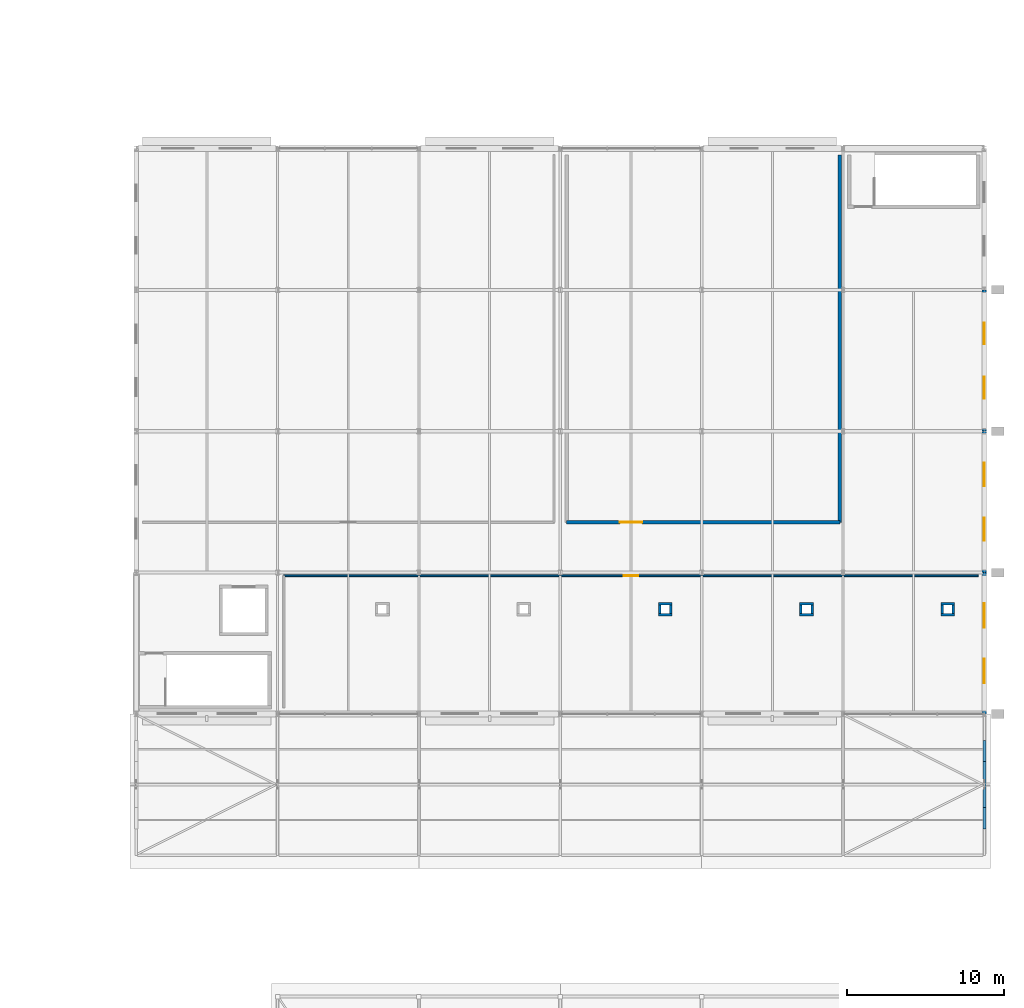
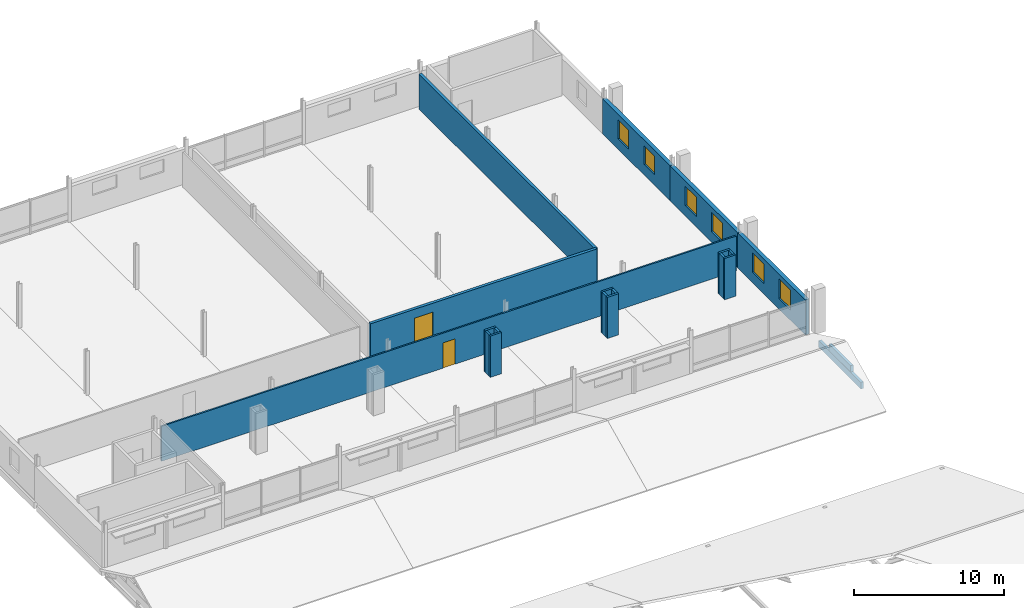
# One storey, part 114 of 132: 20 walls, 6 windows, 2 doors, 8 openings.
"""IFC4 building model written with IfcOpenShell, lengths in metres."""

from ifc_helpers import new_model, si_unit, direction, frame, frame_2d, origin, place, context, subcontext, project, spatial, rectangle, extrude, material, layer, layer_set, type_object, element, fill, save


model = new_model("IFC4")

# Units and contexts
model_context = context("Model", 3, precision=1e-05, world=origin(), true_north=direction((0.0, 1.0)))
body_context = subcontext(model_context, "Body", "Model", "MODEL_VIEW")
ifc_project = project(units=[si_unit("LENGTHUNIT", "METRE"), si_unit("AREAUNIT", "SQUARE_METRE"), si_unit("VOLUMEUNIT", "CUBIC_METRE"), si_unit("PLANEANGLEUNIT", "RADIAN"), si_unit("MASSUNIT", "GRAM", prefix="KILO")], contexts=[model_context])

# Site, building, storey
site_placement = place(None, origin())
site = spatial("IfcSite", under=ifc_project, at=site_placement, CompositionType="ELEMENT")
building_placement = place(site_placement, origin())
building = spatial("IfcBuilding", under=site, at=building_placement, Name="Tharagai Park Tramway Depot", CompositionType="ELEMENT")
storey_placement = place(building_placement, frame((0.0, 0.0, 4.800048828125)))
storey = spatial("IfcBuildingStorey", under=building, at=storey_placement, Name="L01", CompositionType="ELEMENT", Elevation=4.800048828125)

# Wall, openings, windows
ifc_material_1 = material(Name="Pressed clay brick", Category="masonry")
ifc_layer_1 = layer(ifc_material_1, 0.300048828125)
ifc_layer_set_1 = layer_set([ifc_layer_1], Name="Pressed clay brick")
wall_type_1 = type_object("IfcWallType", Name="EW-08", PredefinedType="SOLIDWALL", material=ifc_layer_set_1)
wall_1_placement = place(storey_placement, frame((216.0, 99.00390625, 0.0), z_axis=(0.0, 0.0, 1.0), x_axis=(0.0, 1.0, 0.0)))
wall_1 = element("IfcWall", 1, at=wall_1_placement, inside=storey, type_object=wall_type_1, Name="L01 V3 Exterior Masonry Wall EW-08", PredefinedType="SOLIDWALL", context=body_context, shape_type="SweptSolid", body=[
    extrude(rectangle(XDim=8.9921875, YDim=0.300048828125, at=frame_2d((4.49609375, 0.0))), origin(), (0.0, 0.0, 1.0), 2.842041015625),
])
opening_1_placement = place(wall_1_placement, frame((1.944091796875, 0.0, 0.85009765625)))
opening_1 = element("IfcOpeningElement", 2, at=opening_1_placement, cuts=wall_1, Name="Opening WN-33", PredefinedType="OPENING", context=body_context, shape_type="SweptSolid", body=[
    extrude(rectangle(XDim=1.580078125, YDim=1.60009765625, at=frame_2d((0.7900390625, 0.800048828125))), frame((0.0, 0.159912109375, 0.0), z_axis=(0.0, -1.0, 0.0), x_axis=(1.0, 0.0, 0.0)), (0.0, 0.0, 1.0), 0.320068359375),
])
opening_2_placement = place(wall_1_placement, frame((5.468017578125, 0.0, 0.85009765625)))
opening_2 = element("IfcOpeningElement", 3, at=opening_2_placement, cuts=wall_1, Name="Opening WN-33", PredefinedType="OPENING", context=body_context, shape_type="SweptSolid", body=[
    extrude(rectangle(XDim=1.580078125, YDim=1.60009765625, at=frame_2d((0.7900390625, 0.800048828125))), frame((0.0, 0.159912109375, 0.0), z_axis=(0.0, -1.0, 0.0), x_axis=(1.0, 0.0, 0.0)), (0.0, 0.0, 1.0), 0.320068359375),
])
ifc_material_2 = material(Name="Laminated solar-control glass", Category="glass")
window_type_1 = type_object("IfcWindowType", Name="WN-33", PartitioningType="SINGLE_PANEL", PredefinedType="WINDOW", material=ifc_material_2)
window_1_placement = place(opening_1_placement, origin())
window_1 = element("IfcWindow", 4, at=window_1_placement, inside=storey, type_object=window_type_1, Name="L01 V3 Side Lancet Window WN-33", OverallHeight=1.60009765625, OverallWidth=1.580078125, PartitioningType="SINGLE_PANEL", PredefinedType="WINDOW", context=body_context, shape_type="SweptSolid", body=[
    extrude(rectangle(XDim=1.580078125, YDim=1.60009765625, at=frame_2d((0.7900390625, 0.800048828125))), frame((0.0, 0.030029296875, 0.0), z_axis=(0.0, -1.0, 0.0), x_axis=(1.0, 0.0, 0.0)), (0.0, 0.0, 1.0), 0.06005859375),
])
fill(opening_1, window_1)
window_2_placement = place(opening_2_placement, origin())
window_2 = element("IfcWindow", 5, at=window_2_placement, inside=storey, type_object=window_type_1, Name="L01 V3 Side Lancet Window WN-33", OverallHeight=1.60009765625, OverallWidth=1.580078125, PartitioningType="SINGLE_PANEL", PredefinedType="WINDOW", context=body_context, shape_type="SweptSolid", body=[
    extrude(rectangle(XDim=1.580078125, YDim=1.60009765625, at=frame_2d((0.7900390625, 0.800048828125))), frame((0.0, 0.030029296875, 0.0), z_axis=(0.0, -1.0, 0.0), x_axis=(1.0, 0.0, 0.0)), (0.0, 0.0, 1.0), 0.06005859375),
])
fill(opening_2, window_2)

wall_2_placement = place(storey_placement, frame((216.0, 108.00390625, 0.0), z_axis=(0.0, 0.0, 1.0), x_axis=(0.0, 1.0, 0.0)))
wall_2 = element("IfcWall", 6, at=wall_2_placement, inside=storey, type_object=wall_type_1, Name="L01 V3 Exterior Masonry Wall EW-08", PredefinedType="SOLIDWALL", context=body_context, shape_type="SweptSolid", body=[
    extrude(rectangle(XDim=8.9921875, YDim=0.300048828125, at=frame_2d((4.49609375, 0.0))), origin(), (0.0, 0.0, 1.0), 2.842041015625),
])
opening_3_placement = place(wall_2_placement, frame((2.010986328125, 0.0, 0.85009765625)))
opening_3 = element("IfcOpeningElement", 7, at=opening_3_placement, cuts=wall_2, Name="Opening WN-03", PredefinedType="OPENING", context=body_context, shape_type="SweptSolid", body=[
    extrude(rectangle(XDim=1.47998046875, YDim=1.56005859375, at=frame_2d((0.739990234375, 0.780029296875))), frame((0.0, 0.159912109375, 0.0), z_axis=(0.0, -1.0, 0.0), x_axis=(1.0, 0.0, 0.0)), (0.0, 0.0, 1.0), 0.320068359375),
])
opening_4_placement = place(wall_2_placement, frame((5.5009765625, 0.0, 0.85009765625)))
opening_4 = element("IfcOpeningElement", 8, at=opening_4_placement, cuts=wall_2, Name="Opening WN-03", PredefinedType="OPENING", context=body_context, shape_type="SweptSolid", body=[
    extrude(rectangle(XDim=1.47998046875, YDim=1.56005859375, at=frame_2d((0.739990234375, 0.780029296875))), frame((0.0, 0.159912109375, 0.0), z_axis=(0.0, -1.0, 0.0), x_axis=(1.0, 0.0, 0.0)), (0.0, 0.0, 1.0), 0.320068359375),
])
window_type_2 = type_object("IfcWindowType", Name="WN-03", PartitioningType="SINGLE_PANEL", PredefinedType="WINDOW", material=ifc_material_2)
window_3_placement = place(opening_3_placement, origin())
window_3 = element("IfcWindow", 9, at=window_3_placement, inside=storey, type_object=window_type_2, Name="L01 V3 Side Lancet Window WN-03", OverallHeight=1.56005859375, OverallWidth=1.47998046875, PartitioningType="SINGLE_PANEL", PredefinedType="WINDOW", context=body_context, shape_type="SweptSolid", body=[
    extrude(rectangle(XDim=1.47998046875, YDim=1.56005859375, at=frame_2d((0.739990234375, 0.780029296875))), frame((0.0, 0.030029296875, 0.0), z_axis=(0.0, -1.0, 0.0), x_axis=(1.0, 0.0, 0.0)), (0.0, 0.0, 1.0), 0.06005859375),
])
fill(opening_3, window_3)
window_4_placement = place(opening_4_placement, origin())
window_4 = element("IfcWindow", 10, at=window_4_placement, inside=storey, type_object=window_type_2, Name="L01 V3 Side Lancet Window WN-03", OverallHeight=1.56005859375, OverallWidth=1.47998046875, PartitioningType="SINGLE_PANEL", PredefinedType="WINDOW", context=body_context, shape_type="SweptSolid", body=[
    extrude(rectangle(XDim=1.47998046875, YDim=1.56005859375, at=frame_2d((0.739990234375, 0.780029296875))), frame((0.0, 0.030029296875, 0.0), z_axis=(0.0, -1.0, 0.0), x_axis=(1.0, 0.0, 0.0)), (0.0, 0.0, 1.0), 0.06005859375),
])
fill(opening_4, window_4)

wall_3_placement = place(storey_placement, frame((216.0, 117.00390625, 0.0), z_axis=(0.0, 0.0, 1.0), x_axis=(0.0, 1.0, 0.0)))
wall_3 = element("IfcWall", 11, at=wall_3_placement, inside=storey, type_object=wall_type_1, Name="L01 V3 Exterior Masonry Wall EW-08", PredefinedType="SOLIDWALL", context=body_context, shape_type="SweptSolid", body=[
    extrude(rectangle(XDim=8.9921875, YDim=0.300048828125, at=frame_2d((4.49609375, 0.0))), origin(), (0.0, 0.0, 1.0), 2.842041015625),
])
opening_5_placement = place(wall_3_placement, frame((2.076904296875, 0.0, 0.85009765625)))
opening_5 = element("IfcOpeningElement", 12, at=opening_5_placement, cuts=wall_3, Name="Opening WN-12", PredefinedType="OPENING", context=body_context, shape_type="SweptSolid", body=[
    extrude(rectangle(XDim=1.3798828125, YDim=1.52001953125, at=frame_2d((0.68994140625, 0.760009765625))), frame((0.0, 0.159912109375, 0.0), z_axis=(0.0, -1.0, 0.0), x_axis=(1.0, 0.0, 0.0)), (0.0, 0.0, 1.0), 0.320068359375),
])
opening_6_placement = place(wall_3_placement, frame((5.534912109375, 0.0, 0.85009765625)))
opening_6 = element("IfcOpeningElement", 13, at=opening_6_placement, cuts=wall_3, Name="Opening WN-12", PredefinedType="OPENING", context=body_context, shape_type="SweptSolid", body=[
    extrude(rectangle(XDim=1.3798828125, YDim=1.52001953125, at=frame_2d((0.68994140625, 0.760009765625))), frame((0.0, 0.159912109375, 0.0), z_axis=(0.0, -1.0, 0.0), x_axis=(1.0, 0.0, 0.0)), (0.0, 0.0, 1.0), 0.320068359375),
])
window_type_3 = type_object("IfcWindowType", Name="WN-12", PartitioningType="SINGLE_PANEL", PredefinedType="WINDOW", material=ifc_material_2)
window_5_placement = place(opening_5_placement, origin())
window_5 = element("IfcWindow", 14, at=window_5_placement, inside=storey, type_object=window_type_3, Name="L01 V3 Side Lancet Window WN-12", OverallHeight=1.52001953125, OverallWidth=1.3798828125, PartitioningType="SINGLE_PANEL", PredefinedType="WINDOW", context=body_context, shape_type="SweptSolid", body=[
    extrude(rectangle(XDim=1.3798828125, YDim=1.52001953125, at=frame_2d((0.68994140625, 0.760009765625))), frame((0.0, 0.030029296875, 0.0), z_axis=(0.0, -1.0, 0.0), x_axis=(1.0, 0.0, 0.0)), (0.0, 0.0, 1.0), 0.06005859375),
])
fill(opening_5, window_5)
window_6_placement = place(opening_6_placement, origin())
window_6 = element("IfcWindow", 15, at=window_6_placement, inside=storey, type_object=window_type_3, Name="L01 V3 Side Lancet Window WN-12", OverallHeight=1.52001953125, OverallWidth=1.3798828125, PartitioningType="SINGLE_PANEL", PredefinedType="WINDOW", context=body_context, shape_type="SweptSolid", body=[
    extrude(rectangle(XDim=1.3798828125, YDim=1.52001953125, at=frame_2d((0.68994140625, 0.760009765625))), frame((0.0, 0.030029296875, 0.0), z_axis=(0.0, -1.0, 0.0), x_axis=(1.0, 0.0, 0.0)), (0.0, 0.0, 1.0), 0.06005859375),
])
fill(opening_6, window_6)

# Walls
ifc_layer_2 = layer(ifc_material_1, 0.159912109375)
ifc_layer_set_2 = layer_set([ifc_layer_2], Name="Pressed clay brick")
wall_type_2 = type_object("IfcWallType", Name="IW-02", PredefinedType="PARTITIONING", material=ifc_layer_set_2)
for number, where, z_axis, x_axis, name in (
    (16, (195.239990234375, 105.320068359375, 0.0), (0.0, 0.0, 1.0), (1.0, 0.0, 0.0), "L01 Pipe Riser Enclosure Wall 12 S"),
    (17, (195.239990234375, 106.030029296875, 0.0), (0.0, 0.0, 1.0), (1.0, 0.0, 0.0), "L01 Pipe Riser Enclosure Wall 12 N"),
):
    element("IfcWall", number, at=place(storey_placement, frame(where, z_axis=z_axis, x_axis=x_axis)), inside=storey, type_object=wall_type_2, Name=name, PredefinedType="PARTITIONING", context=body_context, shape_type="SweptSolid", body=[
        extrude(rectangle(XDim=0.8701171875, YDim=0.159912109375, at=frame_2d((0.43505859375, 0.0))), origin(), (0.0, 0.0, 1.0), 3.349853515625),
    ])
for number, where, z_axis, x_axis, name in (
    (18, (195.320068359375, 105.39990234375, 0.0), (0.0, 0.0, 1.0), (0.0, 1.0, 0.0), "L01 Pipe Riser Enclosure Wall 12 W"),
    (19, (196.030029296875, 105.39990234375, 0.0), (0.0, 0.0, 1.0), (0.0, 1.0, 0.0), "L01 Pipe Riser Enclosure Wall 12 E"),
):
    element("IfcWall", number, at=place(storey_placement, frame(where, z_axis=z_axis, x_axis=x_axis)), inside=storey, type_object=wall_type_2, Name=name, PredefinedType="PARTITIONING", context=body_context, shape_type="SweptSolid", body=[
        extrude(rectangle(XDim=0.550048828125, YDim=0.159912109375, at=frame_2d((0.27490234375, 0.0))), origin(), (0.0, 0.0, 1.0), 3.349853515625),
    ])
for number, where, z_axis, x_axis, name in (
    (20, (204.239990234375, 105.320068359375, 0.0), (0.0, 0.0, 1.0), (1.0, 0.0, 0.0), "L01 Pipe Riser Enclosure Wall 13 S"),
    (21, (204.239990234375, 106.030029296875, 0.0), (0.0, 0.0, 1.0), (1.0, 0.0, 0.0), "L01 Pipe Riser Enclosure Wall 13 N"),
):
    element("IfcWall", number, at=place(storey_placement, frame(where, z_axis=z_axis, x_axis=x_axis)), inside=storey, type_object=wall_type_2, Name=name, PredefinedType="PARTITIONING", context=body_context, shape_type="SweptSolid", body=[
        extrude(rectangle(XDim=0.8701171875, YDim=0.159912109375, at=frame_2d((0.43505859375, 0.0))), origin(), (0.0, 0.0, 1.0), 3.349853515625),
    ])
for number, where, z_axis, x_axis, name in (
    (22, (204.320068359375, 105.39990234375, 0.0), (0.0, 0.0, 1.0), (0.0, 1.0, 0.0), "L01 Pipe Riser Enclosure Wall 13 W"),
    (23, (205.030029296875, 105.39990234375, 0.0), (0.0, 0.0, 1.0), (0.0, 1.0, 0.0), "L01 Pipe Riser Enclosure Wall 13 E"),
):
    element("IfcWall", number, at=place(storey_placement, frame(where, z_axis=z_axis, x_axis=x_axis)), inside=storey, type_object=wall_type_2, Name=name, PredefinedType="PARTITIONING", context=body_context, shape_type="SweptSolid", body=[
        extrude(rectangle(XDim=0.550048828125, YDim=0.159912109375, at=frame_2d((0.27490234375, 0.0))), origin(), (0.0, 0.0, 1.0), 3.349853515625),
    ])
for number, where, z_axis, x_axis, name in (
    (24, (213.239990234375, 105.320068359375, 0.0), (0.0, 0.0, 1.0), (1.0, 0.0, 0.0), "L01 Pipe Riser Enclosure Wall 14 S"),
    (25, (213.239990234375, 106.030029296875, 0.0), (0.0, 0.0, 1.0), (1.0, 0.0, 0.0), "L01 Pipe Riser Enclosure Wall 14 N"),
):
    element("IfcWall", number, at=place(storey_placement, frame(where, z_axis=z_axis, x_axis=x_axis)), inside=storey, type_object=wall_type_2, Name=name, PredefinedType="PARTITIONING", context=body_context, shape_type="SweptSolid", body=[
        extrude(rectangle(XDim=0.8701171875, YDim=0.159912109375, at=frame_2d((0.43505859375, 0.0))), origin(), (0.0, 0.0, 1.0), 3.349853515625),
    ])
for number, where, z_axis, x_axis, name in (
    (26, (213.320068359375, 105.39990234375, 0.0), (0.0, 0.0, 1.0), (0.0, 1.0, 0.0), "L01 Pipe Riser Enclosure Wall 14 W"),
    (27, (214.030029296875, 105.39990234375, 0.0), (0.0, 0.0, 1.0), (0.0, 1.0, 0.0), "L01 Pipe Riser Enclosure Wall 14 E"),
):
    element("IfcWall", number, at=place(storey_placement, frame(where, z_axis=z_axis, x_axis=x_axis)), inside=storey, type_object=wall_type_2, Name=name, PredefinedType="PARTITIONING", context=body_context, shape_type="SweptSolid", body=[
        extrude(rectangle(XDim=0.550048828125, YDim=0.159912109375, at=frame_2d((0.27490234375, 0.0))), origin(), (0.0, 0.0, 1.0), 3.349853515625),
    ])

# Wall, opening, door
ifc_material_3 = material(Name="Gypsum board", Category="gypsum")
ifc_layer_3 = layer(ifc_material_3, 0.1201171875)
ifc_layer_set_3 = layer_set([ifc_layer_3], Name="Gypsum board")
wall_type_3 = type_object("IfcWallType", Name="IW-03", PredefinedType="PARTITIONING", material=ifc_layer_set_3)
wall_4_placement = place(storey_placement, frame((171.39990234375, 107.800048828125, 0.0), z_axis=(0.0, 0.0, 1.0), x_axis=(1.0, 0.0, 0.0)))
wall_4 = element("IfcWall", 28, at=wall_4_placement, inside=storey, type_object=wall_type_3, Name="Ultrafiltration and Reverse Osmosis Hall Partition North", PredefinedType="PARTITIONING", context=body_context, shape_type="SweptSolid", body=[
    extrude(rectangle(XDim=44.2001953125, YDim=0.1201171875, at=frame_2d((22.10009765625, 0.0))), origin(), (0.0, 0.0, 1.0), 2.844970703125),
])
opening_7_placement = place(wall_4_placement, frame((21.6298828125, 0.0, 0.0)))
opening_7 = element("IfcOpeningElement", 29, at=opening_7_placement, cuts=wall_4, Name="Opening ID-03", PredefinedType="OPENING", context=body_context, shape_type="SweptSolid", body=[
    extrude(rectangle(XDim=0.93994140625, YDim=2.06005859375, at=frame_2d((0.469970703125, 1.030029296875))), frame((0.0, 0.070068359375, 0.0), z_axis=(0.0, -1.0, 0.0), x_axis=(1.0, 0.0, 0.0)), (0.0, 0.0, 1.0), 0.14013671875),
])
ifc_material_4 = material(Name="Pressed timber", Category="wood")
door_type_1 = type_object("IfcDoorType", Name="ID-03", OperationType="NOTDEFINED", PredefinedType="DOOR", material=ifc_material_4)
door_1_placement = place(opening_7_placement, origin())
door_1 = element("IfcDoor", 30, at=door_1_placement, inside=storey, type_object=door_type_1, Name="Ultrafiltration and Reverse Osmosis Hall Door", OperationType="SINGLE_SWING_RIGHT", OverallHeight=2.06005859375, OverallWidth=0.93994140625, PredefinedType="DOOR", context=body_context, shape_type="SweptSolid", body=[
    extrude(rectangle(XDim=0.93994140625, YDim=2.06005859375, at=frame_2d((0.469970703125, 1.030029296875))), frame((0.0, 0.02490234375, 0.0), z_axis=(0.0, -1.0, 0.0), x_axis=(1.0, 0.0, 0.0)), (0.0, 0.0, 1.0), 0.050048828125),
])
fill(opening_7, door_1)

ifc_layer_4 = layer(ifc_material_1, 0.219970703125)
ifc_layer_set_4 = layer_set([ifc_layer_4], Name="Pressed clay brick")
wall_type_4 = type_object("IfcWallType", Name="IW-05", PredefinedType="SOLIDWALL", material=ifc_layer_set_4)
wall_5_placement = place(storey_placement, frame((189.39990234375, 111.199951171875, 0.0), z_axis=(0.0, 0.0, 1.0), x_axis=(1.0, 0.0, 0.0)))
wall_5 = element("IfcWall", 31, at=wall_5_placement, inside=storey, type_object=wall_type_4, Name="Wash Hall Extraction Plant Room Partition South", PredefinedType="SOLIDWALL", context=body_context, shape_type="SweptSolid", body=[
    extrude(rectangle(XDim=17.400146484375, YDim=0.219970703125, at=frame_2d((8.7001953125, 0.0))), origin(), (0.0, 0.0, 1.0), 2.844970703125),
])
opening_8_placement = place(wall_5_placement, frame((3.389892578125, 0.0, 0.0)))
opening_8 = element("IfcOpeningElement", 32, at=opening_8_placement, cuts=wall_5, Name="Opening ID-06", PredefinedType="OPENING", context=body_context, shape_type="SweptSolid", body=[
    extrude(rectangle(XDim=1.419921875, YDim=2.1201171875, at=frame_2d((0.7099609375, 1.06005859375))), frame((0.0, 0.119873046875, 0.0), z_axis=(0.0, -1.0, 0.0), x_axis=(1.0, 0.0, 0.0)), (0.0, 0.0, 1.0), 0.239990234375),
])
ifc_material_5 = material(Name="Galvanised steel", Category="steel")
door_type_2 = type_object("IfcDoorType", Name="ID-06", OperationType="DOUBLE_SWING_LEFT", PredefinedType="DOOR", material=ifc_material_5)
door_2_placement = place(opening_8_placement, frame((1.419921875, 0.0, 0.0), z_axis=(0.0, 0.0, 1.0), x_axis=(-1.0, 0.0, 0.0)))
door_2 = element("IfcDoor", 33, at=door_2_placement, inside=storey, type_object=door_type_2, Name="Wash Hall Extraction Plant Room Door", OperationType="DOUBLE_SWING_LEFT", OverallHeight=2.1201171875, OverallWidth=1.419921875, PredefinedType="DOOR", context=body_context, shape_type="SweptSolid", body=[
    extrude(rectangle(XDim=1.419921875, YDim=2.1201171875, at=frame_2d((0.7099609375, 1.06005859375))), frame((0.0, 0.02490234375, 0.0), z_axis=(0.0, -1.0, 0.0), x_axis=(1.0, 0.0, 0.0)), (0.0, 0.0, 1.0), 0.050048828125),
])
fill(opening_8, door_2)

# Walls
wall_6_placement = place(storey_placement, frame((206.800048828125, 111.199951171875, 0.0), z_axis=(0.0, 0.0, 1.0), x_axis=(0.0, 1.0, 0.0)))
element("IfcWall", 34, at=wall_6_placement, inside=storey, type_object=wall_type_4, Name="Wash Hall Extraction Plant Room Partition East", PredefinedType="SOLIDWALL", context=body_context, shape_type="SweptSolid", body=[
    extrude(rectangle(XDim=23.400146484375, YDim=0.219970703125, at=frame_2d((11.7001953125, 0.0))), origin(), (0.0, 0.0, 1.0), 2.844970703125),
])
ifc_material_6 = material(Name="Charnockite stone", Category="masonry")
ifc_layer_5 = layer(ifc_material_6, 0.199951171875)
ifc_layer_set_5 = layer_set([ifc_layer_5], Name="Charnockite stone")
wall_type_5 = type_object("IfcWallType", Name="PRW-01", PredefinedType="PARAPET", material=ifc_layer_set_5)
wall_7_placement = place(storey_placement, frame((216.0, 91.68994140625, 0.035888671875), z_axis=(0.0, 0.0, 1.0), x_axis=(0.0, 1.0, 0.0)))
element("IfcWall", 35, at=wall_7_placement, inside=storey, type_object=wall_type_5, Name="V3A Gothic Gable Tympanum Parapet Course 1", PredefinedType="PARAPET", context=body_context, shape_type="SweptSolid", body=[
    extrude(rectangle(XDim=5.6201171875, YDim=0.199951171875, at=frame_2d((2.81005859375, 0.0))), origin(), (0.0, 0.0, 1.0), 0.5390625),
])
wall_8_placement = place(storey_placement, frame((216.0, 93.0400390625, 0.593017578125), z_axis=(0.0, 0.0, 1.0), x_axis=(0.0, 1.0, 0.0)))
element("IfcWall", 36, at=wall_8_placement, inside=storey, type_object=wall_type_5, Name="V3A Gothic Gable Tympanum Parapet Course 2", PredefinedType="PARAPET", context=body_context, shape_type="SweptSolid", body=[
    extrude(rectangle(XDim=2.919921875, YDim=0.199951171875, at=frame_2d((1.4599609375, 0.0))), origin(), (0.0, 0.0, 1.0), 0.52197265625),
])

save(model, "model.ifc")
